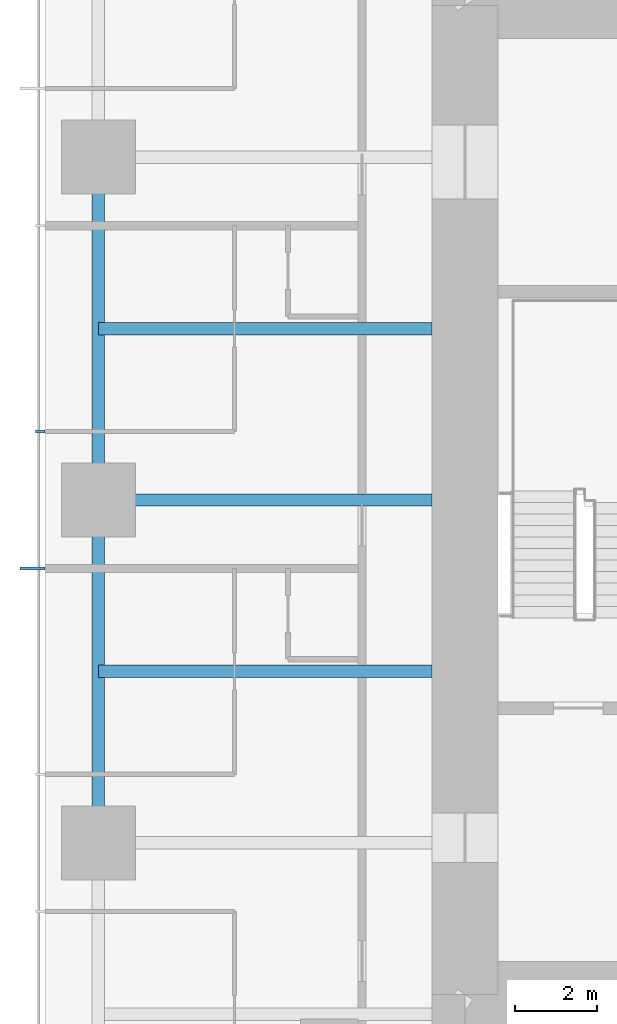
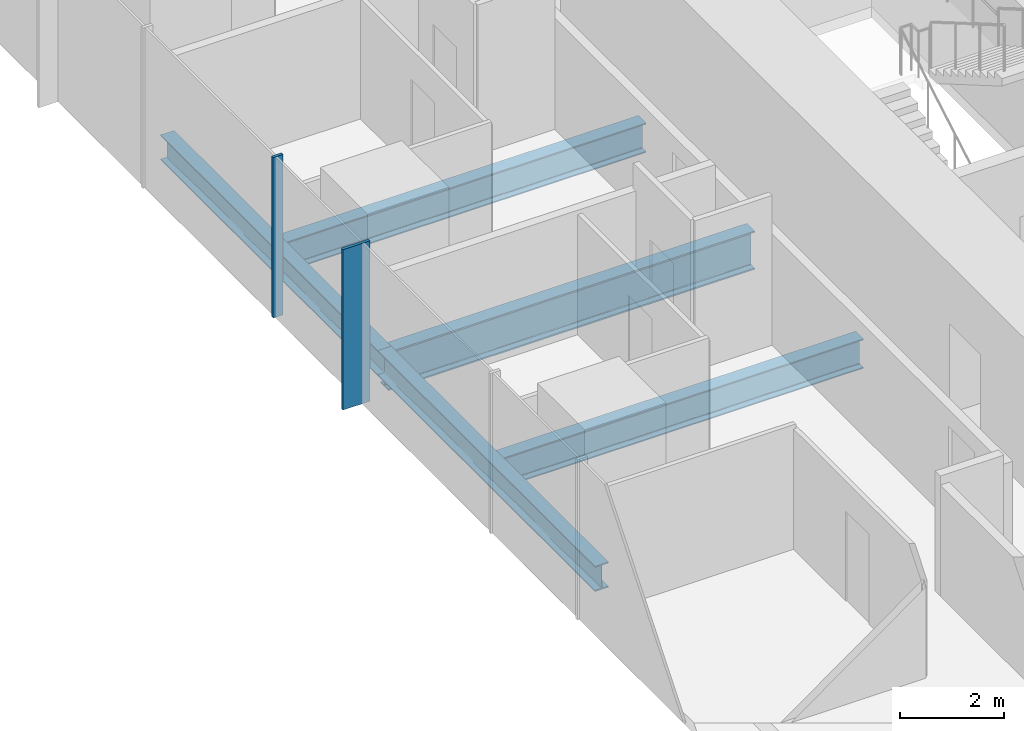
# One storey, part 3 of 13: 5 beams, 2 members, 1 element without a shape of its own.
"""IFC4 building model written with IfcOpenShell, lengths in metres."""

from ifc_helpers import new_model, si_unit, direction, frame, origin, origin_2d, place, context, subcontext, project, spatial, rectangle, i_section, extrude, material, material_profile, profile_set, type_object, element, aggregate, save


model = new_model("IFC4")

# Units and contexts
model_context = context("Model", 3, precision=1e-05, world=origin(), true_north=direction((0.0, 1.0)))
body_context = subcontext(model_context, "Body", "Model", "MODEL_VIEW")
ifc_project = project(units=[si_unit("LENGTHUNIT", "METRE"), si_unit("AREAUNIT", "SQUARE_METRE"), si_unit("VOLUMEUNIT", "CUBIC_METRE"), si_unit("PLANEANGLEUNIT", "RADIAN"), si_unit("MASSUNIT", "GRAM", prefix="KILO")], contexts=[model_context])

# Site, building, storey
site_placement = place(None, origin())
site = spatial("IfcSite", under=ifc_project, at=site_placement, CompositionType="ELEMENT")
building_placement = place(site_placement, origin())
building = spatial("IfcBuilding", under=site, at=building_placement, Name="Khuree Lantern Residences", CompositionType="ELEMENT")
storey_placement = place(building_placement, frame((0.0, 0.0, 259.5)))
storey = spatial("IfcBuildingStorey", under=building, at=storey_placement, Name="L65", CompositionType="ELEMENT", Elevation=259.5)

# Beams
ifc_material_1 = material(Name="Steel S355", Category="steel")
ifc_material_profile_1 = material_profile(ifc_material_1, i_section(OverallWidth=0.300048828125, OverallDepth=0.68994140625, WebThickness=0.014404296875, FlangeThickness=0.027099609375, FilletRadius=0.027099609375, at=origin_2d()), Name="HE 700 A")
ifc_profile_set_1 = profile_set([ifc_material_profile_1], Name="Steel S355")
beam_type_1 = type_object("IfcBeamType", Name="B-34 SECONDARY BEAM HE 700 A", PredefinedType="BEAM", material=ifc_profile_set_1)
for number, where, z_axis, x_axis, name in (
    (1, (-24.39990234375, -4.159912109375, -0.594970703125), (1.0, 0.0, 0.0), (0.0, 1.0, 0.0), "Secondary beam W3"),
    (2, (-24.39990234375, 4.159912109375, -0.594970703125), (1.0, 0.0, 0.0), (0.0, 1.0, 0.0), "Secondary beam W4"),
):
    element("IfcBeam", number, at=place(storey_placement, frame(where, z_axis=z_axis, x_axis=x_axis)), inside=storey, type_object=beam_type_1, Name=name, PredefinedType="BEAM", context=body_context, shape_type="SweptSolid", body=[
        extrude(i_section(OverallWidth=0.300048828125, OverallDepth=0.68994140625, WebThickness=0.014404296875, FlangeThickness=0.027099609375, FilletRadius=0.027099609375, at=origin_2d()), origin(), (0.0, 0.0, 1.0), 8.099853515625),
    ])
ifc_material_profile_2 = material_profile(ifc_material_1, i_section(OverallWidth=0.300048828125, OverallDepth=0.590087890625, WebThickness=0.012939453125, FlangeThickness=0.02490234375, FilletRadius=0.027099609375, at=origin_2d()), Name="HE 600 A")
ifc_profile_set_2 = profile_set([ifc_material_profile_2], Name="Steel S355")
beam_type_2 = type_object("IfcBeamType", Name="E-34 SPANDREL BEAM HE 600 A", PredefinedType="SPANDREL", material=ifc_profile_set_2)
for number, where, z_axis, x_axis, name in (
    (3, (-24.39990234375, -8.320068359375, -0.544921875), (0.0, 1.0, 0.0), (-1.0, 0.0, 0.0), "Spandrel beam W3"),
    (4, (-24.39990234375, 0.0, -0.544921875), (0.0, 1.0, 0.0), (-1.0, 0.0, 0.0), "Spandrel beam W4"),
):
    element("IfcBeam", number, at=place(storey_placement, frame(where, z_axis=z_axis, x_axis=x_axis)), inside=storey, type_object=beam_type_2, Name=name, PredefinedType="SPANDREL", context=body_context, shape_type="SweptSolid", body=[
        extrude(i_section(OverallWidth=0.300048828125, OverallDepth=0.590087890625, WebThickness=0.012939453125, FlangeThickness=0.02490234375, FilletRadius=0.027099609375, at=origin_2d()), origin(), (0.0, 0.0, 1.0), 8.320068359375),
    ])

# Curtain wall, member
ifc_material_2 = material(Name="Bronze anodised aluminium", Category="aluminium")
curtain_wall_type = type_object("IfcCurtainWallType", Name="CW-T1 TOWER FACE CURTAIN WALL", PredefinedType="USERDEFINED", material=ifc_material_2)
curtain_wall_placement = place(storey_placement, origin())
curtain_wall = element("IfcCurtainWall", 5, at=curtain_wall_placement, inside=storey, type_object=curtain_wall_type, Name="L65 WEST FACE CURTAIN WALL", ObjectType="Stick-built curtain wall", PredefinedType="USERDEFINED")
ifc_material_profile_3 = material_profile(ifc_material_2, rectangle(XDim=0.06494140625, YDim=0.60009765625, at=origin_2d()), Name="F1 65X600")
ifc_profile_set_3 = profile_set([ifc_material_profile_3], Name="Bronze anodised aluminium")
member_type_1 = type_object("IfcMemberType", Name="F1 BRONZE FIN MULLION TOWER 65X600", PredefinedType="MULLION", material=ifc_profile_set_3)
member_1_placement = place(storey_placement, frame((-26.0, -1.6640625, 0.0), z_axis=(0.0, 0.0, 1.0), x_axis=(0.0, -1.0, 0.0)))
member_1 = element("IfcMember", 6, at=member_1_placement, type_object=member_type_1, Name="L65 WEST FACE FIN MULLION 38", PredefinedType="MULLION", context=body_context, shape_type="SweptSolid", body=[
    extrude(rectangle(XDim=0.06494140625, YDim=0.60009765625, at=origin_2d()), origin(), (0.0, 0.0, 1.0), 3.75),
])

# Beam
ifc_material_profile_4 = material_profile(ifc_material_1, i_section(OverallWidth=0.300048828125, OverallDepth=0.89990234375, WebThickness=0.0185546875, FlangeThickness=0.034912109375, FilletRadius=0.030029296875, at=origin_2d()), Name="HE 900 B")
ifc_profile_set_4 = profile_set([ifc_material_profile_4], Name="Steel S355")
beam_type_3 = type_object("IfcBeamType", Name="G-34 GIRDER HE 900 B", PredefinedType="BEAM", material=ifc_profile_set_4)
beam_placement = place(storey_placement, frame((-24.39990234375, 0.0, -0.699951171875), z_axis=(1.0, 0.0, 0.0), x_axis=(0.0, 1.0, 0.0)))
element("IfcBeam", 7, at=beam_placement, inside=storey, type_object=beam_type_3, Name="Girder W3", PredefinedType="BEAM", context=body_context, shape_type="SweptSolid", body=[
    extrude(i_section(OverallWidth=0.300048828125, OverallDepth=0.89990234375, WebThickness=0.0185546875, FlangeThickness=0.034912109375, FilletRadius=0.030029296875, at=origin_2d()), origin(), (0.0, 0.0, 1.0), 8.099853515625),
])

# Member
ifc_material_profile_5 = material_profile(ifc_material_2, rectangle(XDim=0.06494140625, YDim=0.219970703125, at=origin_2d()), Name="M1 65X220")
ifc_profile_set_5 = profile_set([ifc_material_profile_5], Name="Bronze anodised aluminium")
member_type_2 = type_object("IfcMemberType", Name="M1 BRONZE MULLION TOWER 65X220", PredefinedType="MULLION", material=ifc_profile_set_5)
member_2_placement = place(storey_placement, frame((-25.81005859375, 1.6640625, 0.0), z_axis=(0.0, 0.0, 1.0), x_axis=(0.0, -1.0, 0.0)))
member_2 = element("IfcMember", 8, at=member_2_placement, type_object=member_type_2, Name="L65 WEST FACE MULLION 37", PredefinedType="MULLION", context=body_context, shape_type="SweptSolid", body=[
    extrude(rectangle(XDim=0.06494140625, YDim=0.219970703125, at=origin_2d()), origin(), (0.0, 0.0, 1.0), 3.75),
])

aggregate(curtain_wall, [member_2, member_1])

save(model, "model.ifc")
